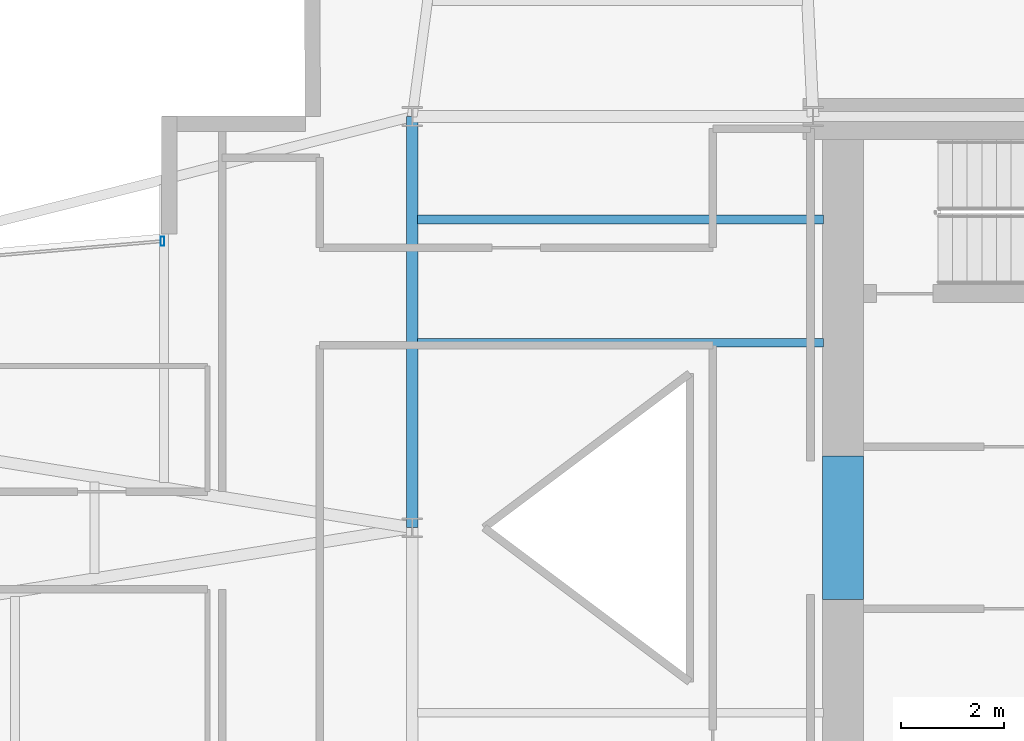
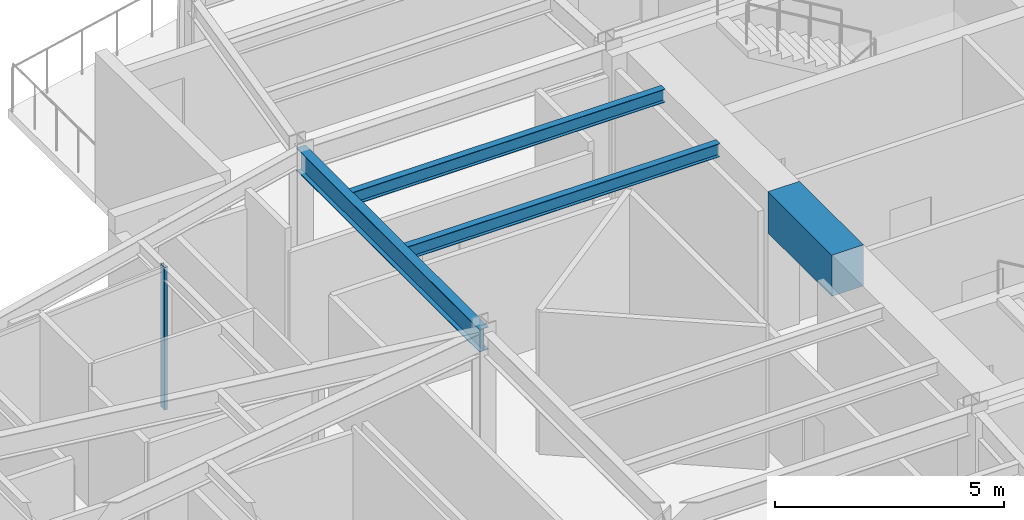
# One storey, part 11 of 23: 4 beams, 1 member, 1 element without a shape of its own.
"""IFC4 building model written with IfcOpenShell, lengths in metres."""

import ifcopenshell
import ifcopenshell.guid

model = None  # the IFC model being written
_history = None  # IfcOwnerHistory: only IFC2X3 demands one
_inside = {}  # id of a spatial element -> (the spatial element, [elements in it])
_under = {}  # id of a project, library or spatial element -> (it, [spatial elements below it])
_declared = {}  # id of a project -> (the project, [libraries it declares])
_typed = {}  # id of a type object -> (the type object, [elements of that type])
_made_of = {}  # id of a material, layer set ... -> (it, [elements and type objects made of it])


def new_model(schema):
    """Start an empty IFC model of exactly this schema.

    Asked for "IFC4X3", IfcOpenShell would pick the latest addendum, in which some entities
    have other attributes; the version numbers below select the first issue.
    IFC2X3 requires an IfcOwnerHistory on every rooted entity: one is made here for all.
    """
    global model, _history
    if schema == "IFC4X3":
        model = ifcopenshell.file(schema_version=(4, 3, 0, 0))
    else:
        model = ifcopenshell.file(schema=schema)
    _inside.clear()
    _under.clear()
    _declared.clear()
    _typed.clear()
    _made_of.clear()
    _history = None
    if model.schema == "IFC2X3":
        org = make("IfcOrganization", Name="unknown")
        user = make(
            "IfcPersonAndOrganization",
            ThePerson=make("IfcPerson", FamilyName="unknown"),
            TheOrganization=org,
        )
        app = make(
            "IfcApplication",
            ApplicationDeveloper=org,
            Version="unknown",
            ApplicationFullName="unknown",
            ApplicationIdentifier="unknown",
        )
        _history = make(
            "IfcOwnerHistory",
            OwningUser=user,
            OwningApplication=app,
            ChangeAction="ADDED",
            CreationDate=0,
        )
    return model


def make(cls, **values):
    """One entity of the class cls with the attributes given. An attribute that is None is left unset."""
    return model.create_entity(
        cls, **{name: value for name, value in values.items() if value is not None}
    )


def rooted(cls, **values):
    """An entity with a GlobalId (a new one), such as an element, a storey or a relation."""
    return make(cls, GlobalId=ifcopenshell.guid.new(), OwnerHistory=_history, **values)


def si_unit(unit_type, name, prefix=None):
    """IfcSIUnit, for example si_unit("LENGTHUNIT", "METRE", prefix="MILLI")."""
    return make("IfcSIUnit", UnitType=unit_type, Prefix=prefix, Name=name)


def assignment(units):
    """IfcUnitAssignment: the units of a project."""
    return None if units is None else make("IfcUnitAssignment", Units=units)


def point(xyz):
    """IfcCartesianPoint."""
    return None if xyz is None else make("IfcCartesianPoint", Coordinates=xyz)


def direction(xyz):
    """IfcDirection."""
    return None if xyz is None else make("IfcDirection", DirectionRatios=xyz)


def frame(location, z_axis=None, x_axis=None):
    """IfcAxis2Placement3D, a coordinate frame: its origin and axes. An axis left out is left unset."""
    return make(
        "IfcAxis2Placement3D",
        Location=point(location),
        Axis=direction(z_axis),
        RefDirection=direction(x_axis),
    )


def frame_2d(location, x_axis=None):
    """IfcAxis2Placement2D, a coordinate frame in the plane: its origin and x axis."""
    return make(
        "IfcAxis2Placement2D", Location=point(location), RefDirection=direction(x_axis)
    )


def origin():
    """The frame at (0, 0, 0) with its axes left unset."""
    return frame((0.0, 0.0, 0.0))


def origin_2d():
    """The frame at (0, 0) in the plane with its x axis left unset."""
    return frame_2d((0.0, 0.0))


def place(relative_to, where):
    """IfcLocalPlacement: puts the frame where relative to a parent placement (None: the world)."""
    return make(
        "IfcLocalPlacement", PlacementRelTo=relative_to, RelativePlacement=where
    )


def context(
    kind, dimensions, precision=None, world=None, true_north=None, identifier=None
):
    """IfcGeometricRepresentationContext, for example the 3D "Model" context."""
    return make(
        "IfcGeometricRepresentationContext",
        ContextIdentifier=identifier,
        ContextType=kind,
        CoordinateSpaceDimension=dimensions,
        Precision=precision,
        WorldCoordinateSystem=world,
        TrueNorth=true_north,
    )


def subcontext(parent, identifier, kind, view, scale=None):
    """IfcGeometricRepresentationSubContext, for example "Body" below "Model"."""
    return make(
        "IfcGeometricRepresentationSubContext",
        ContextIdentifier=identifier,
        ContextType=kind,
        ParentContext=parent,
        TargetScale=scale,
        TargetView=view,
    )


def project(units=None, contexts=None):
    """IfcProject with its units and contexts."""
    return rooted(
        "IfcProject",
        Name="project",
        RepresentationContexts=contexts,
        UnitsInContext=assignment(units),
    )


def spatial(cls, under=None, at=None, **own):
    """A site, building, storey or space (cls), placed at a placement, below another one or the project."""
    s = rooted(cls, ObjectPlacement=at, **own)
    if under is not None:
        _under.setdefault(under.id(), (under, []))[1].append(s)
    return s


def profile(cls, at=None, kind="AREA", **sizes):
    """A parametric profile (cls). Its sizes go by their IFC names, for example OverallWidth=200.0."""
    return make(cls, ProfileType=kind, Position=at, **sizes)


def rectangle(**sizes):
    """IfcRectangleProfileDef."""
    return profile("IfcRectangleProfileDef", **sizes)


def hollow_rectangle(**sizes):
    """IfcRectangleHollowProfileDef."""
    return profile("IfcRectangleHollowProfileDef", **sizes)


def i_section(**sizes):
    """IfcIShapeProfileDef."""
    return profile("IfcIShapeProfileDef", **sizes)


def extrude(swept, where, along, depth):
    """IfcExtrudedAreaSolid: the profile swept, set in the frame where, extruded along a direction by depth."""
    return make(
        "IfcExtrudedAreaSolid",
        SweptArea=swept,
        Position=where,
        ExtrudedDirection=direction(along),
        Depth=depth,
    )


def shape(context_of_items, identifier, shape_type, items):
    """IfcShapeRepresentation: the items that make up one representation, for example the "Body"."""
    return make(
        "IfcShapeRepresentation",
        ContextOfItems=context_of_items,
        RepresentationIdentifier=identifier,
        RepresentationType=shape_type,
        Items=items,
    )


def material(Name=None, Category=None):
    """IfcMaterial."""
    return make("IfcMaterial", Name=Name, Category=Category)


def layer(
    of_material, thickness, ventilated=None, Name=None, Category=None, Priority=None
):
    """IfcMaterialLayer: one layer of a wall or slab, of a material (None: an air gap)."""
    return make(
        "IfcMaterialLayer",
        Material=of_material,
        LayerThickness=thickness,
        IsVentilated=ventilated,
        Name=Name,
        Category=Category,
        Priority=Priority,
    )


def layer_set(layers, Name=None):
    """IfcMaterialLayerSet."""
    return make("IfcMaterialLayerSet", MaterialLayers=layers, LayerSetName=Name)


def material_profile(
    of_material, cross_section, Name=None, Category=None, Priority=None
):
    """IfcMaterialProfile: a cross section and its material."""
    return make(
        "IfcMaterialProfile",
        Name=Name,
        Material=of_material,
        Profile=cross_section,
        Priority=Priority,
        Category=Category,
    )


def profile_set(profiles, Name=None, composite=None):
    """IfcMaterialProfileSet."""
    return make(
        "IfcMaterialProfileSet",
        Name=Name,
        MaterialProfiles=profiles,
        CompositeProfile=composite,
    )


def made_of(thing, what):
    """Note that an element or type object is made of a material, layer set ...; save() writes the relation."""
    if what is not None:
        _made_of.setdefault(what.id(), (what, []))[1].append(thing)
    return thing


def type_object(cls, material=None, **own):
    """A type object (cls), such as IfcWallType, which elements share."""
    return made_of(rooted(cls, **own), material)


def element(
    cls,
    number,
    at=None,
    inside=None,
    cuts=None,
    type_object=None,
    material=None,
    context=None,
    identifier="Body",
    shape_type=None,
    held_by="IfcProductDefinitionShape",
    body=None,
    shapes=None,
    **own,
):
    """One element of the class cls, such as IfcWall. Its Tag is "e" and its number.

    at: its placement. inside: the storey or other place that contains it. cuts: it is an
    opening in that element (IfcRelVoidsElement). A single representation is given by context,
    identifier, shape_type and body (its items); several are given by shapes. held_by: the class
    of the entity that holds the representations. save() writes the other relations.
    """
    e = rooted(cls, Tag="e%d" % number, ObjectPlacement=at, **own)
    if body is not None:
        shapes = [shape(context, identifier, shape_type, body)]
    if shapes is not None:
        e.Representation = make(held_by, Representations=shapes)
    if inside is not None:
        _inside.setdefault(inside.id(), (inside, []))[1].append(e)
    if cuts is not None:
        rooted(
            "IfcRelVoidsElement", RelatingBuildingElement=cuts, RelatedOpeningElement=e
        )
    if type_object is not None:
        _typed.setdefault(type_object.id(), (type_object, []))[1].append(e)
    return made_of(e, material)


def aggregate(whole, parts):
    """IfcRelAggregates: a whole, such as a stair, and the parts it consists of."""
    return rooted("IfcRelAggregates", RelatingObject=whole, RelatedObjects=parts)


def save(model, path):
    """Write the relations noted so far, then the file.

    IfcRelAggregates (storeys below a building ...), IfcRelContainedInSpatialStructure (elements
    in a storey), IfcRelDefinesByType, IfcRelAssociatesMaterial and IfcRelDeclares: one each for
    every whole, place, type object, material and project.
    """
    for whole, parts in _under.values():
        aggregate(whole, parts)
    for where, things in _inside.values():
        rooted(
            "IfcRelContainedInSpatialStructure",
            RelatedElements=things,
            RelatingStructure=where,
        )
    for kind, things in _typed.values():
        rooted("IfcRelDefinesByType", RelatedObjects=things, RelatingType=kind)
    for what, things in _made_of.values():
        rooted("IfcRelAssociatesMaterial", RelatedObjects=things, RelatingMaterial=what)
    for by, libraries in _declared.values():
        rooted("IfcRelDeclares", RelatingContext=by, RelatedDefinitions=libraries)
    model.write(path)


model = new_model("IFC4")

# Units and contexts
model_context = context("Model", 3, precision=1e-05, world=origin(), true_north=direction((0.0, 1.0)))
body_context = subcontext(model_context, "Body", "Model", "MODEL_VIEW")
ifc_project = project(units=[si_unit("LENGTHUNIT", "METRE"), si_unit("AREAUNIT", "SQUARE_METRE"), si_unit("VOLUMEUNIT", "CUBIC_METRE"), si_unit("PLANEANGLEUNIT", "RADIAN"), si_unit("MASSUNIT", "GRAM", prefix="KILO")], contexts=[model_context])

# Site, building, storey
site_placement = place(None, origin())
site = spatial("IfcSite", under=ifc_project, at=site_placement, CompositionType="ELEMENT")
building_placement = place(site_placement, origin())
building = spatial("IfcBuilding", under=site, at=building_placement, Name="Veymaron Broadcast Tower", CompositionType="ELEMENT")
storey_placement = place(building_placement, frame((0.0, 0.0, 161.39990234375)))
storey = spatial("IfcBuildingStorey", under=building, at=storey_placement, Name="L37", CompositionType="ELEMENT", Elevation=161.39990234375)

# Beams
ifc_material_1 = material(Name="Concrete C70/85", Category="concrete")
ifc_material_profile_1 = material_profile(ifc_material_1, rectangle(XDim=0.800048828125, YDim=1.10009765625, at=origin_2d()), Name="RC800X1100")
ifc_profile_set_1 = profile_set([ifc_material_profile_1], Name="Concrete C70/85")
beam_type_1 = type_object("IfcBeamType", Name="BM-CB1", PredefinedType="LINTEL", material=ifc_profile_set_1)
beam_1_placement = place(storey_placement, frame((39.580078125, 22.60009765625, 3.260009765625), z_axis=(0.0, 1.0, 0.0), x_axis=(-1.0, 0.0, 0.0)))
element("IfcBeam", 1, at=beam_1_placement, inside=storey, type_object=beam_type_1, Name="L37 Core Wall west coupling beam", PredefinedType="LINTEL", context=body_context, shape_type="SweptSolid", body=[
    extrude(rectangle(XDim=0.800048828125, YDim=1.10009765625, at=origin_2d()), origin(), (0.0, 0.0, 1.0), 2.7998046875),
])
ifc_material_2 = material(Name="Structural steel ASTM A992 Gr 50", Category="steel")
ifc_material_profile_2 = material_profile(ifc_material_2, i_section(OverallWidth=0.22802734375, OverallDepth=0.60791015625, WebThickness=0.01123046875, FlangeThickness=0.017333984375, at=origin_2d()), Name="W610X113")
ifc_profile_set_2 = profile_set([ifc_material_profile_2], Name="Structural steel ASTM A992 Gr 50")
beam_type_2 = type_object("IfcBeamType", Name="BM-FG2", PredefinedType="BEAM", material=ifc_profile_set_2)
beam_2_placement = place(storey_placement, frame((31.199951171875, 24.0, 3.506103515625), z_axis=(0.0, 1.0, 0.0), x_axis=(-1.0, 0.0, 0.0)))
element("IfcBeam", 2, at=beam_2_placement, inside=storey, type_object=beam_type_2, Name="L37 primary structural floor girder", PredefinedType="BEAM", context=body_context, shape_type="SweptSolid", body=[
    extrude(i_section(OverallWidth=0.22802734375, OverallDepth=0.60791015625, WebThickness=0.01123046875, FlangeThickness=0.017333984375, at=origin_2d()), origin(), (0.0, 0.0, 1.0), 8.0),
])
ifc_material_profile_3 = material_profile(ifc_material_2, i_section(OverallWidth=0.1708984375, OverallDepth=0.35498046875, WebThickness=0.007080078125, FlangeThickness=0.01171875, at=origin_2d()), Name="W360X51")
ifc_profile_set_3 = profile_set([ifc_material_profile_3], Name="Structural steel ASTM A992 Gr 50")
beam_type_3 = type_object("IfcBeamType", Name="BM-JS2", PredefinedType="JOIST", material=ifc_profile_set_3)
for number, where, z_axis, x_axis, name in (
    (3, (31.300048828125, 27.60009765625, 3.632568359375), (1.0, 0.0, 0.0), (0.0, 1.0, 0.0), "L37 Hub secondary joist 3"),
    (4, (31.300048828125, 30.0, 3.632568359375), (1.0, 0.0, 0.0), (0.0, 1.0, 0.0), "L37 Hub secondary joist 4"),
):
    element("IfcBeam", number, at=place(storey_placement, frame(where, z_axis=z_axis, x_axis=x_axis)), inside=storey, type_object=beam_type_3, Name=name, PredefinedType="JOIST", context=body_context, shape_type="SweptSolid", body=[
        extrude(i_section(OverallWidth=0.1708984375, OverallDepth=0.35498046875, WebThickness=0.007080078125, FlangeThickness=0.01171875, at=origin_2d()), origin(), (0.0, 0.0, 1.0), 7.89990234375),
    ])

# Curtain wall, member
ifc_material_3 = material(Name="Anodised aluminium AA 6063-T6 and laminated low-E dark glass", Category="aluminium")
ifc_layer = layer(ifc_material_3, 0.179931640625)
ifc_layer_set = layer_set([ifc_layer], Name="Anodised aluminium AA 6063-T6 and laminated low-E dark glass")
curtain_wall_type = type_object("IfcCurtainWallType", Name="CW-SYS-03", PredefinedType="NOTDEFINED", material=ifc_layer_set)
curtain_wall_placement = place(storey_placement, origin())
curtain_wall = element("IfcCurtainWall", 5, at=curtain_wall_placement, inside=storey, type_object=curtain_wall_type, Name="L37 dark-glass curtain wall CW-L37-E11-1", PredefinedType="NOTDEFINED")
ifc_material_4 = material(Name="Anodised aluminium AA 6063-T6", Category="aluminium")
ifc_material_profile_4 = material_profile(ifc_material_4, hollow_rectangle(XDim=0.074951171875, YDim=0.179931640625, WallThickness=0.0048828125, at=origin_2d()), Name="AL180X75X5")
ifc_profile_set_4 = profile_set([ifc_material_profile_4], Name="Anodised aluminium AA 6063-T6")
member_type = type_object("IfcMemberType", Name="CW-MUL-02", PredefinedType="MULLION", material=ifc_profile_set_4)
member_placement = place(storey_placement, frame((26.340087890625, 29.576171875, 0.0), z_axis=(0.0, 0.0, 1.0), x_axis=(1.0, 0.0, 0.0)))
member = element("IfcMember", 6, at=member_placement, type_object=member_type, Name="CW-L37-E11-1 mullion 0", PredefinedType="MULLION", context=body_context, shape_type="SweptSolid", body=[
    extrude(hollow_rectangle(XDim=0.074951171875, YDim=0.179931640625, WallThickness=0.0048828125, at=origin_2d()), origin(), (0.0, 0.0, 1.0), 3.81005859375),
])
aggregate(curtain_wall, [member])

save(model, "model.ifc")
